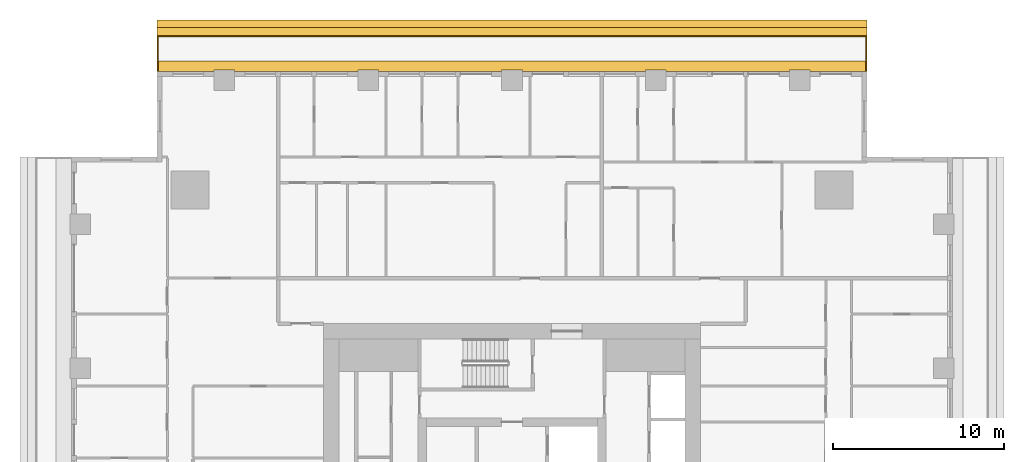
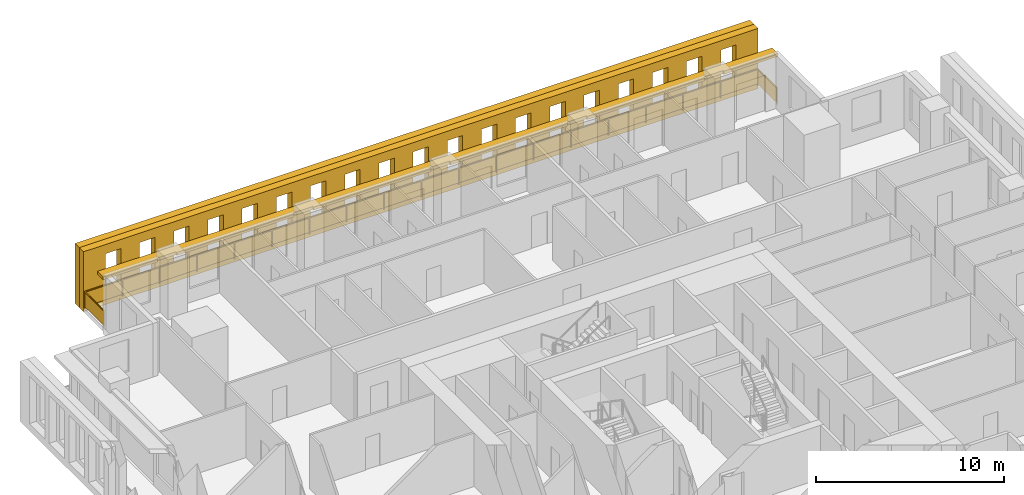
# One storey, part 15 of 15: 3 shading devices, 1 railing.
"""IFC4 building model written with IfcOpenShell, lengths in metres."""

from ifc_helpers import new_model, si_unit, direction, frame, origin, origin_2d, place, context, subcontext, project, spatial, polyline, rectangle, outline, extrude, material, layer, layer_set, type_object, element, save


model = new_model("IFC4")

# Units and contexts
model_context = context("Model", 3, precision=1e-05, world=origin(), true_north=direction((0.0, 1.0)))
body_context = subcontext(model_context, "Body", "Model", "MODEL_VIEW")
ifc_project = project(units=[si_unit("LENGTHUNIT", "METRE"), si_unit("AREAUNIT", "SQUARE_METRE"), si_unit("VOLUMEUNIT", "CUBIC_METRE"), si_unit("PLANEANGLEUNIT", "RADIAN"), si_unit("MASSUNIT", "GRAM", prefix="KILO")], contexts=[model_context])

# Site, building, storey
site_placement = place(None, origin())
site = spatial("IfcSite", under=ifc_project, at=site_placement, CompositionType="ELEMENT")
building_placement = place(site_placement, origin())
building = spatial("IfcBuilding", under=site, at=building_placement, Name="Khepri Terraces", CompositionType="ELEMENT")
storey_placement = place(building_placement, frame((0.0, 0.0, 252.300048828125)))
storey = spatial("IfcBuildingStorey", under=building, at=storey_placement, Name="L60", CompositionType="ELEMENT", Elevation=252.300048828125)

# Railing
ifc_material_1 = material(Name="Stainless steel grade 316", Category="steel")
railing_type = type_object("IfcRailingType", Name="GRD-BAL-1100", PredefinedType="GUARDRAIL", material=ifc_material_1)
railing_placement = place(storey_placement, frame((20.669921875, 25.719970703125, 0.0)))
element("IfcRailing", 1, at=railing_placement, inside=storey, type_object=railing_type, Name="Balcony guard L60 N", PredefinedType="GUARDRAIL", context=body_context, shape_type="SweptSolid", body=[
    extrude(rectangle(XDim=0.050048828125, YDim=0.06005859375, at=origin_2d()), frame((0.0, 0.0, 1.070068359375), z_axis=(0.0, 1.0, 0.0), x_axis=(-1.0, 0.0, 0.0)), (0.0, 0.0, 1.0), 2.050048828125),
    extrude(rectangle(XDim=2.0, YDim=0.011962890625, at=origin_2d()), frame((0.0, 1.02490234375, 0.10009765625), z_axis=(0.0, 0.0, 1.0), x_axis=(0.0, 1.0, 0.0)), (0.0, 0.0, 1.0), 0.93994140625),
    extrude(rectangle(XDim=0.050048828125, YDim=0.06005859375, at=origin_2d()), frame((0.0, 2.050048828125, 1.070068359375), z_axis=(-1.0, 0.0, 0.0), x_axis=(0.0, -1.0, 0.0)), (0.0, 0.0, 1.0), 41.33984375),
    extrude(rectangle(XDim=2.24658203125, YDim=0.011962890625, at=origin_2d()), frame((-1.1484375, 2.050048828125, 0.10009765625), z_axis=(0.0, 0.0, 1.0), x_axis=(-1.0, 0.0, 0.0)), (0.0, 0.0, 1.0), 0.93994140625),
    extrude(rectangle(XDim=2.24658203125, YDim=0.011962890625, at=origin_2d()), frame((-3.445068359375, 2.050048828125, 0.10009765625), z_axis=(0.0, 0.0, 1.0), x_axis=(-1.0, 0.0, 0.0)), (0.0, 0.0, 1.0), 0.93994140625),
    extrude(rectangle(XDim=2.24658203125, YDim=0.011962890625, at=origin_2d()), frame((-5.74169921875, 2.050048828125, 0.10009765625), z_axis=(0.0, 0.0, 1.0), x_axis=(-1.0, 0.0, 0.0)), (0.0, 0.0, 1.0), 0.93994140625),
    extrude(rectangle(XDim=2.24658203125, YDim=0.011962890625, at=origin_2d()), frame((-8.038330078125, 2.050048828125, 0.10009765625), z_axis=(0.0, 0.0, 1.0), x_axis=(-1.0, 0.0, 0.0)), (0.0, 0.0, 1.0), 0.93994140625),
    extrude(rectangle(XDim=2.24658203125, YDim=0.011962890625, at=origin_2d()), frame((-10.3349609375, 2.050048828125, 0.10009765625), z_axis=(0.0, 0.0, 1.0), x_axis=(-1.0, 0.0, 0.0)), (0.0, 0.0, 1.0), 0.93994140625),
    extrude(rectangle(XDim=2.24658203125, YDim=0.011962890625, at=origin_2d()), frame((-12.631591796875, 2.050048828125, 0.10009765625), z_axis=(0.0, 0.0, 1.0), x_axis=(-1.0, 0.0, 0.0)), (0.0, 0.0, 1.0), 0.93994140625),
    extrude(rectangle(XDim=2.24658203125, YDim=0.011962890625, at=origin_2d()), frame((-14.92822265625, 2.050048828125, 0.10009765625), z_axis=(0.0, 0.0, 1.0), x_axis=(-1.0, 0.0, 0.0)), (0.0, 0.0, 1.0), 0.93994140625),
    extrude(rectangle(XDim=2.24658203125, YDim=0.011962890625, at=origin_2d()), frame((-17.224853515625, 2.050048828125, 0.10009765625), z_axis=(0.0, 0.0, 1.0), x_axis=(-1.0, 0.0, 0.0)), (0.0, 0.0, 1.0), 0.93994140625),
    extrude(rectangle(XDim=2.24658203125, YDim=0.011962890625, at=origin_2d()), frame((-19.521484375, 2.050048828125, 0.10009765625), z_axis=(0.0, 0.0, 1.0), x_axis=(-1.0, 0.0, 0.0)), (0.0, 0.0, 1.0), 0.93994140625),
    extrude(rectangle(XDim=2.24658203125, YDim=0.011962890625, at=origin_2d()), frame((-21.818359375, 2.050048828125, 0.10009765625), z_axis=(0.0, 0.0, 1.0), x_axis=(-1.0, 0.0, 0.0)), (0.0, 0.0, 1.0), 0.93994140625),
    extrude(rectangle(XDim=2.24658203125, YDim=0.011962890625, at=origin_2d()), frame((-24.114990234375, 2.050048828125, 0.10009765625), z_axis=(0.0, 0.0, 1.0), x_axis=(-1.0, 0.0, 0.0)), (0.0, 0.0, 1.0), 0.93994140625),
    extrude(rectangle(XDim=2.24658203125, YDim=0.011962890625, at=origin_2d()), frame((-26.41162109375, 2.050048828125, 0.10009765625), z_axis=(0.0, 0.0, 1.0), x_axis=(-1.0, 0.0, 0.0)), (0.0, 0.0, 1.0), 0.93994140625),
    extrude(rectangle(XDim=2.24658203125, YDim=0.011962890625, at=origin_2d()), frame((-28.708251953125, 2.050048828125, 0.10009765625), z_axis=(0.0, 0.0, 1.0), x_axis=(-1.0, 0.0, 0.0)), (0.0, 0.0, 1.0), 0.93994140625),
    extrude(rectangle(XDim=2.24658203125, YDim=0.011962890625, at=origin_2d()), frame((-31.0048828125, 2.050048828125, 0.10009765625), z_axis=(0.0, 0.0, 1.0), x_axis=(-1.0, 0.0, 0.0)), (0.0, 0.0, 1.0), 0.93994140625),
    extrude(rectangle(XDim=2.24658203125, YDim=0.011962890625, at=origin_2d()), frame((-33.301513671875, 2.050048828125, 0.10009765625), z_axis=(0.0, 0.0, 1.0), x_axis=(-1.0, 0.0, 0.0)), (0.0, 0.0, 1.0), 0.93994140625),
    extrude(rectangle(XDim=2.24658203125, YDim=0.011962890625, at=origin_2d()), frame((-35.59814453125, 2.050048828125, 0.10009765625), z_axis=(0.0, 0.0, 1.0), x_axis=(-1.0, 0.0, 0.0)), (0.0, 0.0, 1.0), 0.93994140625),
    extrude(rectangle(XDim=2.24658203125, YDim=0.011962890625, at=origin_2d()), frame((-37.894775390625, 2.050048828125, 0.10009765625), z_axis=(0.0, 0.0, 1.0), x_axis=(-1.0, 0.0, 0.0)), (0.0, 0.0, 1.0), 0.93994140625),
    extrude(rectangle(XDim=2.24658203125, YDim=0.011962890625, at=origin_2d()), frame((-40.19140625, 2.050048828125, 0.10009765625), z_axis=(0.0, 0.0, 1.0), x_axis=(-1.0, 0.0, 0.0)), (0.0, 0.0, 1.0), 0.93994140625),
    extrude(rectangle(XDim=0.050048828125, YDim=0.06005859375, at=origin_2d()), frame((-41.33984375, 2.050048828125, 1.070068359375), z_axis=(0.0, -1.0, 0.0), x_axis=(1.0, 0.0, 0.0)), (0.0, 0.0, 1.0), 2.050048828125),
    extrude(rectangle(XDim=2.0, YDim=0.011962890625, at=origin_2d()), frame((-41.33984375, 1.02490234375, 0.10009765625), z_axis=(0.0, 0.0, 1.0), x_axis=(0.0, -1.0, 0.0)), (0.0, 0.0, 1.0), 0.93994140625),
    extrude(rectangle(XDim=0.050048828125, YDim=0.050048828125, at=origin_2d()), origin(), (0.0, 0.0, 1.0), 1.0400390625),
    extrude(rectangle(XDim=0.050048828125, YDim=0.050048828125, at=origin_2d()), frame((0.0, 2.050048828125, 0.0)), (0.0, 0.0, 1.0), 1.0400390625),
    extrude(rectangle(XDim=0.050048828125, YDim=0.050048828125, at=origin_2d()), frame((-2.296630859375, 2.050048828125, 0.0)), (0.0, 0.0, 1.0), 1.0400390625),
    extrude(rectangle(XDim=0.050048828125, YDim=0.050048828125, at=origin_2d()), frame((-4.59326171875, 2.050048828125, 0.0)), (0.0, 0.0, 1.0), 1.0400390625),
    extrude(rectangle(XDim=0.050048828125, YDim=0.050048828125, at=origin_2d()), frame((-6.889892578125, 2.050048828125, 0.0)), (0.0, 0.0, 1.0), 1.0400390625),
    extrude(rectangle(XDim=0.050048828125, YDim=0.050048828125, at=origin_2d()), frame((-9.1865234375, 2.050048828125, 0.0)), (0.0, 0.0, 1.0), 1.0400390625),
    extrude(rectangle(XDim=0.050048828125, YDim=0.050048828125, at=origin_2d()), frame((-11.4833984375, 2.050048828125, 0.0)), (0.0, 0.0, 1.0), 1.0400390625),
    extrude(rectangle(XDim=0.050048828125, YDim=0.050048828125, at=origin_2d()), frame((-13.780029296875, 2.050048828125, 0.0)), (0.0, 0.0, 1.0), 1.0400390625),
    extrude(rectangle(XDim=0.050048828125, YDim=0.050048828125, at=origin_2d()), frame((-16.07666015625, 2.050048828125, 0.0)), (0.0, 0.0, 1.0), 1.0400390625),
    extrude(rectangle(XDim=0.050048828125, YDim=0.050048828125, at=origin_2d()), frame((-18.373291015625, 2.050048828125, 0.0)), (0.0, 0.0, 1.0), 1.0400390625),
    extrude(rectangle(XDim=0.050048828125, YDim=0.050048828125, at=origin_2d()), frame((-20.669921875, 2.050048828125, 0.0)), (0.0, 0.0, 1.0), 1.0400390625),
    extrude(rectangle(XDim=0.050048828125, YDim=0.050048828125, at=origin_2d()), frame((-22.966552734375, 2.050048828125, 0.0)), (0.0, 0.0, 1.0), 1.0400390625),
    extrude(rectangle(XDim=0.050048828125, YDim=0.050048828125, at=origin_2d()), frame((-25.26318359375, 2.050048828125, 0.0)), (0.0, 0.0, 1.0), 1.0400390625),
    extrude(rectangle(XDim=0.050048828125, YDim=0.050048828125, at=origin_2d()), frame((-27.559814453125, 2.050048828125, 0.0)), (0.0, 0.0, 1.0), 1.0400390625),
    extrude(rectangle(XDim=0.050048828125, YDim=0.050048828125, at=origin_2d()), frame((-29.8564453125, 2.050048828125, 0.0)), (0.0, 0.0, 1.0), 1.0400390625),
    extrude(rectangle(XDim=0.050048828125, YDim=0.050048828125, at=origin_2d()), frame((-32.1533203125, 2.050048828125, 0.0)), (0.0, 0.0, 1.0), 1.0400390625),
    extrude(rectangle(XDim=0.050048828125, YDim=0.050048828125, at=origin_2d()), frame((-34.449951171875, 2.050048828125, 0.0)), (0.0, 0.0, 1.0), 1.0400390625),
    extrude(rectangle(XDim=0.050048828125, YDim=0.050048828125, at=origin_2d()), frame((-36.74658203125, 2.050048828125, 0.0)), (0.0, 0.0, 1.0), 1.0400390625),
    extrude(rectangle(XDim=0.050048828125, YDim=0.050048828125, at=origin_2d()), frame((-39.043212890625, 2.050048828125, 0.0)), (0.0, 0.0, 1.0), 1.0400390625),
    extrude(rectangle(XDim=0.050048828125, YDim=0.050048828125, at=origin_2d()), frame((-41.33984375, 2.050048828125, 0.0)), (0.0, 0.0, 1.0), 1.0400390625),
    extrude(rectangle(XDim=0.050048828125, YDim=0.050048828125, at=origin_2d()), frame((-41.33984375, 0.0, 0.0)), (0.0, 0.0, 1.0), 1.0400390625),
])

# Shading devices
ifc_material_2 = material(Name="Precast concrete C50/60 warm stone", Category="masonry")
shading_device_type_1 = type_object("IfcShadingDeviceType", Name="SCR-CELL-INNER-450", PredefinedType="USERDEFINED", material=ifc_material_2)
shading_device_1_placement = place(storey_placement, frame((20.719970703125, 27.820068359375, -0.25), z_axis=(0.0, 1.0, 0.0), x_axis=(-1.0, 0.0, 0.0)))
element("IfcShadingDevice", 2, at=shading_device_1_placement, inside=storey, type_object=shading_device_type_1, Name="Cell screen L60 N in", ObjectType="SCREEN", PredefinedType="USERDEFINED", context=body_context, shape_type="SweptSolid", body=[
    extrude(outline(polyline([(0.0, 0.0), (41.43994140625, 0.0), (41.43994140625, 3.89990234375), (0.0, 3.89990234375), (0.0, 0.0)]), holes=[polyline([(1.347412109375, 0.699951171875), (2.29248046875, 0.699951171875), (2.29248046875, 3.300048828125), (1.347412109375, 3.300048828125), (1.347412109375, 0.699951171875)]), polyline([(3.447509765625, 0.699951171875), (4.392578125, 0.699951171875), (4.392578125, 3.300048828125), (3.447509765625, 3.300048828125), (3.447509765625, 0.699951171875)]), polyline([(5.547607421875, 0.699951171875), (6.492431640625, 0.699951171875), (6.492431640625, 3.300048828125), (5.547607421875, 3.300048828125), (5.547607421875, 0.699951171875)]), polyline([(7.6474609375, 0.699951171875), (8.592529296875, 0.699951171875), (8.592529296875, 3.300048828125), (7.6474609375, 3.300048828125), (7.6474609375, 0.699951171875)]), polyline([(9.74755859375, 0.699951171875), (10.6923828125, 0.699951171875), (10.6923828125, 3.300048828125), (9.74755859375, 3.300048828125), (9.74755859375, 0.699951171875)]), polyline([(11.847412109375, 0.699951171875), (12.79248046875, 0.699951171875), (12.79248046875, 3.300048828125), (11.847412109375, 3.300048828125), (11.847412109375, 0.699951171875)]), polyline([(13.947509765625, 0.699951171875), (14.892578125, 0.699951171875), (14.892578125, 3.300048828125), (13.947509765625, 3.300048828125), (13.947509765625, 0.699951171875)]), polyline([(16.047607421875, 0.699951171875), (16.992431640625, 0.699951171875), (16.992431640625, 3.300048828125), (16.047607421875, 3.300048828125), (16.047607421875, 0.699951171875)]), polyline([(18.1474609375, 0.699951171875), (19.092529296875, 0.699951171875), (19.092529296875, 3.300048828125), (18.1474609375, 3.300048828125), (18.1474609375, 0.699951171875)]), polyline([(20.24755859375, 0.699951171875), (21.1923828125, 0.699951171875), (21.1923828125, 3.300048828125), (20.24755859375, 3.300048828125), (20.24755859375, 0.699951171875)]), polyline([(22.347412109375, 0.699951171875), (23.29248046875, 0.699951171875), (23.29248046875, 3.300048828125), (22.347412109375, 3.300048828125), (22.347412109375, 0.699951171875)]), polyline([(24.447509765625, 0.699951171875), (25.392578125, 0.699951171875), (25.392578125, 3.300048828125), (24.447509765625, 3.300048828125), (24.447509765625, 0.699951171875)]), polyline([(26.547607421875, 0.699951171875), (27.492431640625, 0.699951171875), (27.492431640625, 3.300048828125), (26.547607421875, 3.300048828125), (26.547607421875, 0.699951171875)]), polyline([(28.6474609375, 0.699951171875), (29.592529296875, 0.699951171875), (29.592529296875, 3.300048828125), (28.6474609375, 3.300048828125), (28.6474609375, 0.699951171875)]), polyline([(30.74755859375, 0.699951171875), (31.6923828125, 0.699951171875), (31.6923828125, 3.300048828125), (30.74755859375, 3.300048828125), (30.74755859375, 0.699951171875)]), polyline([(32.847412109375, 0.699951171875), (33.79248046875, 0.699951171875), (33.79248046875, 3.300048828125), (32.847412109375, 3.300048828125), (32.847412109375, 0.699951171875)]), polyline([(34.947509765625, 0.699951171875), (35.892578125, 0.699951171875), (35.892578125, 3.300048828125), (34.947509765625, 3.300048828125), (34.947509765625, 0.699951171875)]), polyline([(37.047607421875, 0.699951171875), (37.992431640625, 0.699951171875), (37.992431640625, 3.300048828125), (37.047607421875, 3.300048828125), (37.047607421875, 0.699951171875)]), polyline([(39.1474609375, 0.699951171875), (40.092529296875, 0.699951171875), (40.092529296875, 3.300048828125), (39.1474609375, 3.300048828125), (39.1474609375, 0.699951171875)])]), origin(), (0.0, 0.0, 1.0), 0.449951171875),
])
shading_device_type_2 = type_object("IfcShadingDeviceType", Name="SCR-CELL-OUTER-450", PredefinedType="USERDEFINED", material=ifc_material_2)
shading_device_2_placement = place(storey_placement, frame((20.719970703125, 28.27001953125, -0.25), z_axis=(0.0, 1.0, 0.0), x_axis=(-1.0, 0.0, 0.0)))
element("IfcShadingDevice", 3, at=shading_device_2_placement, inside=storey, type_object=shading_device_type_2, Name="Cell screen L60 N out", ObjectType="SCREEN", PredefinedType="USERDEFINED", context=body_context, shape_type="SweptSolid", body=[
    extrude(outline(polyline([(0.0, 0.0), (41.43994140625, 0.0), (41.43994140625, 3.89990234375), (0.0, 3.89990234375), (0.0, 0.0)]), holes=[polyline([(0.99755859375, 0.449951171875), (2.642578125, 0.449951171875), (2.642578125, 3.550048828125), (0.99755859375, 3.550048828125), (0.99755859375, 0.449951171875)]), polyline([(3.097412109375, 0.449951171875), (4.742431640625, 0.449951171875), (4.742431640625, 3.550048828125), (3.097412109375, 3.550048828125), (3.097412109375, 0.449951171875)]), polyline([(5.197509765625, 0.449951171875), (6.842529296875, 0.449951171875), (6.842529296875, 3.550048828125), (5.197509765625, 3.550048828125), (5.197509765625, 0.449951171875)]), polyline([(7.297607421875, 0.449951171875), (8.9423828125, 0.449951171875), (8.9423828125, 3.550048828125), (7.297607421875, 3.550048828125), (7.297607421875, 0.449951171875)]), polyline([(9.3974609375, 0.449951171875), (11.04248046875, 0.449951171875), (11.04248046875, 3.550048828125), (9.3974609375, 3.550048828125), (9.3974609375, 0.449951171875)]), polyline([(11.49755859375, 0.449951171875), (13.142578125, 0.449951171875), (13.142578125, 3.550048828125), (11.49755859375, 3.550048828125), (11.49755859375, 0.449951171875)]), polyline([(13.597412109375, 0.449951171875), (15.242431640625, 0.449951171875), (15.242431640625, 3.550048828125), (13.597412109375, 3.550048828125), (13.597412109375, 0.449951171875)]), polyline([(15.697509765625, 0.449951171875), (17.342529296875, 0.449951171875), (17.342529296875, 3.550048828125), (15.697509765625, 3.550048828125), (15.697509765625, 0.449951171875)]), polyline([(17.797607421875, 0.449951171875), (19.4423828125, 0.449951171875), (19.4423828125, 3.550048828125), (17.797607421875, 3.550048828125), (17.797607421875, 0.449951171875)]), polyline([(19.8974609375, 0.449951171875), (21.54248046875, 0.449951171875), (21.54248046875, 3.550048828125), (19.8974609375, 3.550048828125), (19.8974609375, 0.449951171875)]), polyline([(21.99755859375, 0.449951171875), (23.642578125, 0.449951171875), (23.642578125, 3.550048828125), (21.99755859375, 3.550048828125), (21.99755859375, 0.449951171875)]), polyline([(24.097412109375, 0.449951171875), (25.742431640625, 0.449951171875), (25.742431640625, 3.550048828125), (24.097412109375, 3.550048828125), (24.097412109375, 0.449951171875)]), polyline([(26.197509765625, 0.449951171875), (27.842529296875, 0.449951171875), (27.842529296875, 3.550048828125), (26.197509765625, 3.550048828125), (26.197509765625, 0.449951171875)]), polyline([(28.297607421875, 0.449951171875), (29.9423828125, 0.449951171875), (29.9423828125, 3.550048828125), (28.297607421875, 3.550048828125), (28.297607421875, 0.449951171875)]), polyline([(30.3974609375, 0.449951171875), (32.04248046875, 0.449951171875), (32.04248046875, 3.550048828125), (30.3974609375, 3.550048828125), (30.3974609375, 0.449951171875)]), polyline([(32.49755859375, 0.449951171875), (34.142578125, 0.449951171875), (34.142578125, 3.550048828125), (32.49755859375, 3.550048828125), (32.49755859375, 0.449951171875)]), polyline([(34.597412109375, 0.449951171875), (36.242431640625, 0.449951171875), (36.242431640625, 3.550048828125), (34.597412109375, 3.550048828125), (34.597412109375, 0.449951171875)]), polyline([(36.697509765625, 0.449951171875), (38.342529296875, 0.449951171875), (38.342529296875, 3.550048828125), (36.697509765625, 3.550048828125), (36.697509765625, 0.449951171875)]), polyline([(38.797607421875, 0.449951171875), (40.4423828125, 0.449951171875), (40.4423828125, 3.550048828125), (38.797607421875, 3.550048828125), (38.797607421875, 0.449951171875)])]), origin(), (0.0, 0.0, 1.0), 0.449951171875),
])
ifc_layer = layer(ifc_material_2, 0.199951171875, Name="Precast concrete C50/60 warm stone", Category="masonry")
ifc_layer_set = layer_set([ifc_layer], Name="Precast concrete C50/60 warm stone")
shading_device_type_3 = type_object("IfcShadingDeviceType", Name="SSH-BAND-STONE-200-N", PredefinedType="USERDEFINED", material=ifc_layer_set)
shading_device_3_placement = place(storey_placement, frame((0.0, 0.0, 3.099853515625)))
element("IfcShadingDevice", 4, at=shading_device_3_placement, inside=storey, type_object=shading_device_type_3, Name="Sunshade band L60 N", ObjectType="SUNSHADE", PredefinedType="USERDEFINED", context=body_context, shape_type="SweptSolid", body=[
    extrude(outline(polyline([(17.39990234375, 25.719970703125), (20.719970703125, 25.719970703125), (20.719970703125, 26.320068359375), (-20.719970703125, 26.320068359375), (-20.719970703125, 25.719970703125), (-17.39990234375, 25.719970703125), (-17.39990234375, 25.800048828125), (-16.199951171875, 25.800048828125), (-16.199951171875, 25.719970703125), (-9.0, 25.719970703125), (-9.0, 25.800048828125), (-7.800048828125, 25.800048828125), (-7.800048828125, 25.719970703125), (-0.60009765625, 25.719970703125), (-0.60009765625, 25.800048828125), (0.60009765625, 25.800048828125), (0.60009765625, 25.719970703125), (7.800048828125, 25.719970703125), (7.800048828125, 25.800048828125), (9.0, 25.800048828125), (9.0, 25.719970703125), (16.199951171875, 25.719970703125), (16.199951171875, 25.800048828125), (17.39990234375, 25.800048828125), (17.39990234375, 25.719970703125)])), origin(), (0.0, 0.0, 1.0), 0.2001953125),
])

save(model, "model.ifc")
